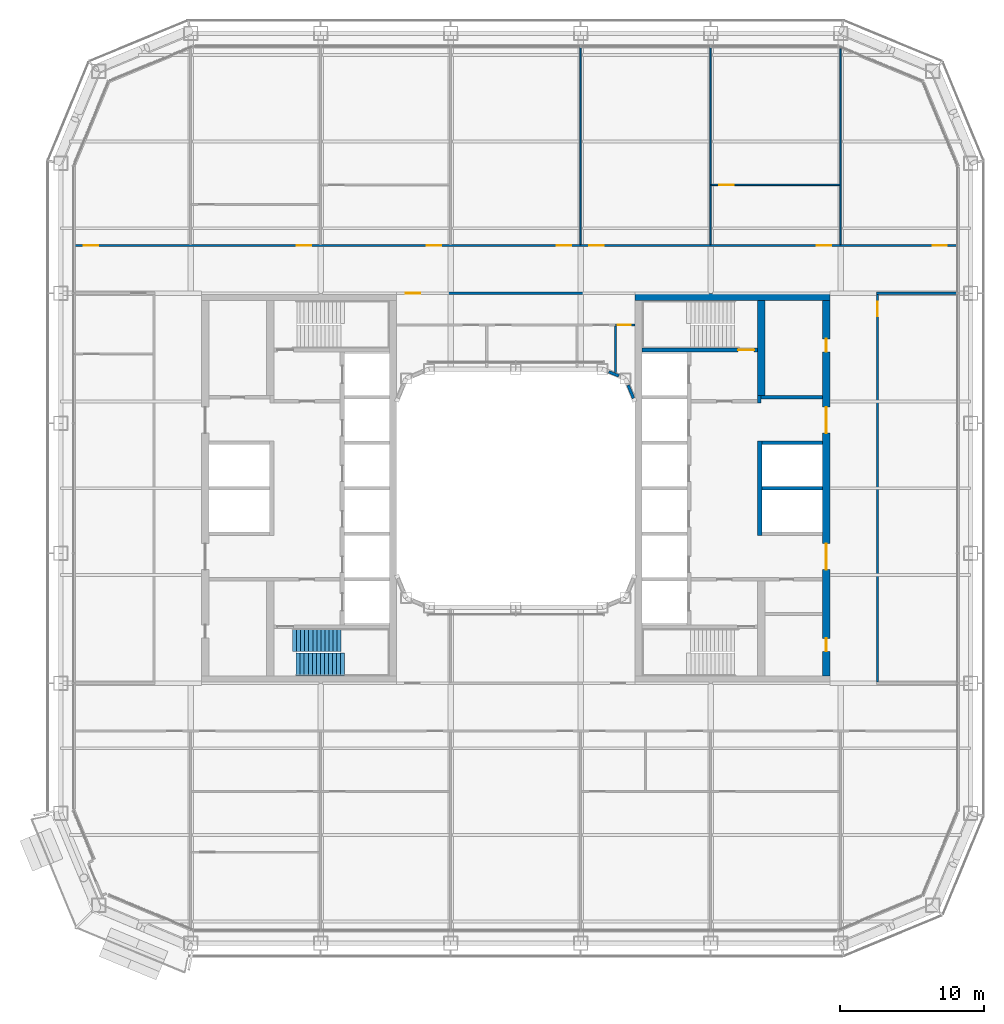
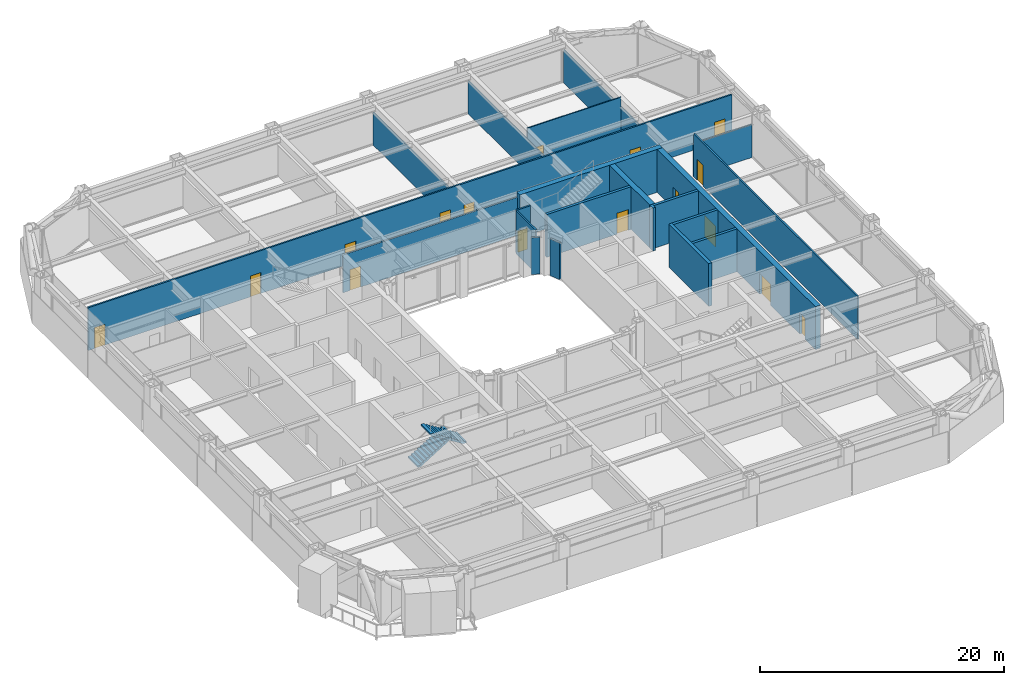
# One storey, part 16 of 27: 21 walls, 16 doors, 2 stair flights, 16 openings, 1 element without a shape of its own.
"""IFC4 building model written with IfcOpenShell, lengths in metres."""

from ifc_helpers import new_model, si_unit, direction, frame, frame_2d, origin, place, context, subcontext, project, spatial, polyline, rectangle, outline, extrude, material, layer, layer_set, type_object, element, fill, aggregate, save


model = new_model("IFC4")

# Units and contexts
model_context = context("Model", 3, precision=1e-05, world=origin(), true_north=direction((0.0, 1.0)))
body_context = subcontext(model_context, "Body", "Model", "MODEL_VIEW")
ifc_project = project(units=[si_unit("LENGTHUNIT", "METRE"), si_unit("AREAUNIT", "SQUARE_METRE"), si_unit("VOLUMEUNIT", "CUBIC_METRE"), si_unit("PLANEANGLEUNIT", "RADIAN"), si_unit("MASSUNIT", "GRAM", prefix="KILO")], contexts=[model_context])

# Site, building, storey
site_placement = place(None, origin())
site = spatial("IfcSite", under=ifc_project, at=site_placement, CompositionType="ELEMENT")
building_placement = place(site_placement, origin())
building = spatial("IfcBuilding", under=site, at=building_placement, Name="Siwar Civic Tower", CompositionType="ELEMENT")
storey_placement = place(building_placement, frame((0.0, 0.0, 89.699951171875)))
storey = spatial("IfcBuildingStorey", under=building, at=storey_placement, Name="L19", CompositionType="ELEMENT", Elevation=89.699951171875)

# Wall, opening, door
ifc_material_1 = material(Name="Gypsum board on steel studs", Category="steel")
ifc_layer_1 = layer(ifc_material_1, 0.14990234375)
ifc_layer_set_1 = layer_set([ifc_layer_1], Name="Gypsum board on steel studs")
wall_type_1 = type_object("IfcWallType", Name="COMPARTMENT PARTITION 150 EI 60", PredefinedType="PARTITIONING", material=ifc_layer_set_1)
wall_1_placement = place(storey_placement, frame((6.919921875, 11.300048828125, 0.0), z_axis=(0.0, 0.0, 1.0), x_axis=(1.0, 0.0, 0.0)))
wall_1 = element("IfcWall", 1, at=wall_1_placement, inside=storey, type_object=wall_type_1, Name="L19/wall/P10", PredefinedType="PARTITIONING", context=body_context, shape_type="SweptSolid", body=[
    extrude(rectangle(XDim=1.330078125, YDim=0.14990234375, at=frame_2d((0.6650390625, 0.0))), origin(), (0.0, 0.0, 1.0), 4.300048828125),
])
opening_1_placement = place(wall_1_placement, frame((0.14990234375, 0.0, 0.0)))
opening_1 = element("IfcOpeningElement", 2, at=opening_1_placement, cuts=wall_1, Name="Opening D4", PredefinedType="OPENING", context=body_context, shape_type="SweptSolid", body=[
    extrude(rectangle(XDim=0.89990234375, YDim=2.10009765625, at=frame_2d((0.449951171875, 1.050048828125))), frame((0.0, 0.0849609375, 0.0), z_axis=(0.0, -1.0, 0.0), x_axis=(1.0, 0.0, 0.0)), (0.0, 0.0, 1.0), 0.169921875),
])
ifc_material_2 = material(Name="Timber, painted", Category="wood")
door_type_1 = type_object("IfcDoorType", Name="DOOR 900 X 2100 FD60", OperationType="SINGLE_SWING_LEFT", PredefinedType="DOOR", material=ifc_material_2)
door_1_placement = place(opening_1_placement, origin())
door_1 = element("IfcDoor", 3, at=door_1_placement, inside=storey, type_object=door_type_1, Name="L19-D31", OperationType="SINGLE_SWING_LEFT", OverallHeight=2.10009765625, OverallWidth=0.89990234375, PredefinedType="DOOR", context=body_context, shape_type="SweptSolid", body=[
    extrude(rectangle(XDim=0.89990234375, YDim=2.10009765625, at=frame_2d((0.449951171875, 1.050048828125))), frame((0.0, 0.02490234375, 0.0), z_axis=(0.0, -1.0, 0.0), x_axis=(1.0, 0.0, 0.0)), (0.0, 0.0, 1.0), 0.050048828125),
])
fill(opening_1, door_1)

# Walls
wall_2_placement = place(storey_placement, frame((6.919921875, 8.028076171875, 0.0), z_axis=(0.0, 0.0, 1.0), x_axis=(0.0, 1.0, 0.0)))
element("IfcWall", 4, at=wall_2_placement, inside=storey, type_object=wall_type_1, Name="L19/wall/P31", PredefinedType="PARTITIONING", context=body_context, shape_type="SweptSolid", body=[
    extrude(rectangle(XDim=3.197021484375, YDim=0.14990234375, at=frame_2d((1.5986328125, 0.0))), origin(), (0.0, 0.0, 1.0), 4.300048828125),
])
ifc_material_3 = material(Name="Concrete C60/75", Category="concrete")
ifc_layer_2 = layer(ifc_material_3, 0.25)
ifc_layer_set_2 = layer_set([ifc_layer_2], Name="Concrete C60/75")
wall_type_2 = type_object("IfcWallType", Name="CORE-WALL-RC250", PredefinedType="SHEAR", material=ifc_layer_set_2)
wall_3_placement = place(storey_placement, frame((16.875, 5.89990234375, 0.0), z_axis=(0.0, 0.0, 1.0), x_axis=(0.0, 1.0, 0.0)))
element("IfcWall", 5, at=wall_3_placement, inside=storey, type_object=wall_type_2, Name="Core wall E", PredefinedType="SHEAR", context=body_context, shape_type="SweptSolid", body=[
    extrude(rectangle(XDim=0.525146484375, YDim=0.25, at=frame_2d((0.2626953125, 0.0))), origin(), (0.0, 0.0, 1.0), 4.300048828125),
])
wall_4_placement = place(storey_placement, frame((17.0, 6.300048828125, 0.0), z_axis=(0.0, 0.0, 1.0), x_axis=(1.0, 0.0, 0.0)))
element("IfcWall", 6, at=wall_4_placement, inside=storey, type_object=wall_type_2, Name="Core wall E", PredefinedType="SHEAR", context=body_context, shape_type="SweptSolid", body=[
    extrude(rectangle(XDim=4.25, YDim=0.25, at=frame_2d((2.125, 0.0))), origin(), (0.0, 0.0, 1.0), 4.300048828125),
])
for number, where, z_axis, x_axis, name in (
    (7, (17.050048828125, 0.0, 0.0), (0.0, 0.0, 1.0), (1.0, 0.0, 0.0), "Core wall E"),
    (8, (17.050048828125, 3.14990234375, 0.0), (0.0, 0.0, 1.0), (1.0, 0.0, 0.0), "Core wall E"),
):
    element("IfcWall", number, at=place(storey_placement, frame(where, z_axis=z_axis, x_axis=x_axis)), inside=storey, type_object=wall_type_2, Name=name, PredefinedType="SHEAR", context=body_context, shape_type="SweptSolid", body=[
        extrude(rectangle(XDim=4.199951171875, YDim=0.25, at=frame_2d((2.10009765625, 0.0))), origin(), (0.0, 0.0, 1.0), 4.300048828125),
    ])

# Wall, opening, door
wall_5_placement = place(storey_placement, frame((8.75, 9.574951171875, 0.0), z_axis=(0.0, 0.0, 1.0), x_axis=(1.0, 0.0, 0.0)))
wall_5 = element("IfcWall", 9, at=wall_5_placement, inside=storey, type_object=wall_type_2, Name="Core wall E", PredefinedType="SHEAR", context=body_context, shape_type="SweptSolid", body=[
    extrude(rectangle(XDim=8.0, YDim=0.25, at=frame_2d((4.0, 0.0))), origin(), (0.0, 0.0, 1.0), 4.300048828125),
])
opening_2_placement = place(wall_5_placement, frame((6.64990234375, 0.0, 0.0)))
opening_2 = element("IfcOpeningElement", 10, at=opening_2_placement, cuts=wall_5, Name="Opening L19-CE03", PredefinedType="OPENING", context=body_context, shape_type="SweptSolid", body=[
    extrude(rectangle(XDim=1.10009765625, YDim=2.10009765625, at=frame_2d((0.550048828125, 1.050048828125))), frame((0.0, 0.135009765625, 0.0), z_axis=(0.0, -1.0, 0.0), x_axis=(1.0, 0.0, 0.0)), (0.0, 0.0, 1.0), 0.27001953125),
])
ifc_material_4 = material(Name="Steel door leaf", Category="steel")
door_type_2 = type_object("IfcDoorType", Name="CORE-DOOR-FD60S", OperationType="SINGLE_SWING_LEFT", PredefinedType="DOOR", material=ifc_material_4)
door_2_placement = place(opening_2_placement, origin())
door_2 = element("IfcDoor", 11, at=door_2_placement, inside=storey, type_object=door_type_2, Name="Stair door L19-CE03", OperationType="SINGLE_SWING_LEFT", OverallHeight=2.10009765625, OverallWidth=1.10009765625, PredefinedType="DOOR", context=body_context, shape_type="SweptSolid", body=[
    extrude(rectangle(XDim=1.10009765625, YDim=2.10009765625, at=frame_2d((0.550048828125, 1.050048828125))), frame((0.0, 0.02490234375, 0.0), z_axis=(0.0, -1.0, 0.0), x_axis=(1.0, 0.0, 0.0)), (0.0, 0.0, 1.0), 0.050048828125),
])
fill(opening_2, door_2)

# Wall
ifc_material_5 = material(Name="Concrete C60/75", Category="concrete")
ifc_layer_3 = layer(ifc_material_5, 0.300048828125)
ifc_layer_set_3 = layer_set([ifc_layer_3], Name="Concrete C60/75")
wall_type_3 = type_object("IfcWallType", Name="CORE-WALL-RC300", PredefinedType="SHEAR", material=ifc_layer_set_3)
wall_6_placement = place(storey_placement, frame((16.89990234375, -3.27490234375, 0.0), z_axis=(0.0, 0.0, 1.0), x_axis=(0.0, 1.0, 0.0)))
element("IfcWall", 12, at=wall_6_placement, inside=storey, type_object=wall_type_3, Name="Core wall E", PredefinedType="SHEAR", context=body_context, shape_type="SweptSolid", body=[
    extrude(rectangle(XDim=6.5498046875, YDim=0.300048828125, at=frame_2d((3.27490234375, 0.0))), origin(), (0.0, 0.0, 1.0), 4.300048828125),
])

# Wall, openings, doors
ifc_material_6 = material(Name="Concrete C60/75", Category="concrete")
ifc_layer_4 = layer(ifc_material_6, 0.5)
ifc_layer_set_4 = layer_set([ifc_layer_4], Name="Concrete C60/75")
wall_type_4 = type_object("IfcWallType", Name="CORE-WALL-RC500", PredefinedType="SHEAR", material=ifc_layer_set_4)
wall_7_placement = place(storey_placement, frame((21.5, -13.0, 0.0), z_axis=(0.0, 0.0, 1.0), x_axis=(0.0, 1.0, 0.0)))
wall_7 = element("IfcWall", 13, at=wall_7_placement, inside=storey, type_object=wall_type_4, Name="Core wall E", PredefinedType="SHEAR", context=body_context, shape_type="SweptSolid", body=[
    extrude(rectangle(XDim=26.0, YDim=0.5, at=frame_2d((13.0, 0.0))), origin(), (0.0, 0.0, 1.0), 4.300048828125),
])
opening_3_placement = place(wall_7_placement, frame((16.824951171875, 0.0, 0.0)))
opening_3 = element("IfcOpeningElement", 14, at=opening_3_placement, cuts=wall_7, Name="Opening L19-CE05", PredefinedType="OPENING", context=body_context, shape_type="SweptSolid", body=[
    extrude(rectangle(XDim=1.800048828125, YDim=2.10009765625, at=frame_2d((0.89990234375, 1.050048828125))), frame((0.0, 0.260009765625, 0.0), z_axis=(0.0, -1.0, 0.0), x_axis=(1.0, 0.0, 0.0)), (0.0, 0.0, 1.0), 0.52001953125),
])
opening_4_placement = place(wall_7_placement, frame((7.375, 0.0, 0.0)))
opening_4 = element("IfcOpeningElement", 15, at=opening_4_placement, cuts=wall_7, Name="Opening L19-CE06", PredefinedType="OPENING", context=body_context, shape_type="SweptSolid", body=[
    extrude(rectangle(XDim=1.800048828125, YDim=2.10009765625, at=frame_2d((0.89990234375, 1.050048828125))), frame((0.0, 0.260009765625, 0.0), z_axis=(0.0, -1.0, 0.0), x_axis=(1.0, 0.0, 0.0)), (0.0, 0.0, 1.0), 0.52001953125),
])
opening_5_placement = place(wall_7_placement, frame((22.449951171875, 0.0, 0.0)))
opening_5 = element("IfcOpeningElement", 16, at=opening_5_placement, cuts=wall_7, Name="Opening L19-CE13", PredefinedType="OPENING", context=body_context, shape_type="SweptSolid", body=[
    extrude(rectangle(XDim=0.89990234375, YDim=2.10009765625, at=frame_2d((0.449951171875, 1.050048828125))), frame((0.0, 0.260009765625, 0.0), z_axis=(0.0, -1.0, 0.0), x_axis=(1.0, 0.0, 0.0)), (0.0, 0.0, 1.0), 0.52001953125),
])
opening_6_placement = place(wall_7_placement, frame((1.699951171875, 0.0, 0.0)))
opening_6 = element("IfcOpeningElement", 17, at=opening_6_placement, cuts=wall_7, Name="Opening L19-CE15", PredefinedType="OPENING", context=body_context, shape_type="SweptSolid", body=[
    extrude(rectangle(XDim=0.89990234375, YDim=2.10009765625, at=frame_2d((0.449951171875, 1.050048828125))), frame((0.0, 0.260009765625, 0.0), z_axis=(0.0, -1.0, 0.0), x_axis=(1.0, 0.0, 0.0)), (0.0, 0.0, 1.0), 0.52001953125),
])
ifc_material_7 = material(Name="Steel door leaf", Category="steel")
door_type_3 = type_object("IfcDoorType", Name="CORE-DOOR-PORT", OperationType="DOUBLE_DOOR_DOUBLE_SWING", PredefinedType="DOOR", material=ifc_material_7)
door_3_placement = place(opening_3_placement, origin())
door_3 = element("IfcDoor", 18, at=door_3_placement, inside=storey, type_object=door_type_3, Name="Core entrance door L19-CE05", OperationType="DOUBLE_DOOR_DOUBLE_SWING", OverallHeight=2.10009765625, OverallWidth=1.800048828125, PredefinedType="DOOR", context=body_context, shape_type="SweptSolid", body=[
    extrude(rectangle(XDim=1.800048828125, YDim=2.10009765625, at=frame_2d((0.89990234375, 1.050048828125))), frame((0.0, 0.02490234375, 0.0), z_axis=(0.0, -1.0, 0.0), x_axis=(1.0, 0.0, 0.0)), (0.0, 0.0, 1.0), 0.050048828125),
])
fill(opening_3, door_3)
door_4_placement = place(opening_4_placement, origin())
door_4 = element("IfcDoor", 19, at=door_4_placement, inside=storey, type_object=door_type_3, Name="Core entrance door L19-CE06", OperationType="DOUBLE_DOOR_DOUBLE_SWING", OverallHeight=2.10009765625, OverallWidth=1.800048828125, PredefinedType="DOOR", context=body_context, shape_type="SweptSolid", body=[
    extrude(rectangle(XDim=1.800048828125, YDim=2.10009765625, at=frame_2d((0.89990234375, 1.050048828125))), frame((0.0, 0.02490234375, 0.0), z_axis=(0.0, -1.0, 0.0), x_axis=(1.0, 0.0, 0.0)), (0.0, 0.0, 1.0), 0.050048828125),
])
fill(opening_4, door_4)
ifc_material_8 = material(Name="Steel door leaf", Category="steel")
door_type_4 = type_object("IfcDoorType", Name="CORE-DOOR-ROOM", OperationType="SINGLE_SWING_LEFT", PredefinedType="DOOR", material=ifc_material_8)
door_5_placement = place(opening_5_placement, origin())
door_5 = element("IfcDoor", 20, at=door_5_placement, inside=storey, type_object=door_type_4, Name="Core room door L19-CE13", OperationType="SINGLE_SWING_LEFT", OverallHeight=2.10009765625, OverallWidth=0.89990234375, PredefinedType="DOOR", context=body_context, shape_type="SweptSolid", body=[
    extrude(rectangle(XDim=0.89990234375, YDim=2.10009765625, at=frame_2d((0.449951171875, 1.050048828125))), frame((0.0, 0.02490234375, 0.0), z_axis=(0.0, -1.0, 0.0), x_axis=(1.0, 0.0, 0.0)), (0.0, 0.0, 1.0), 0.050048828125),
])
fill(opening_5, door_5)
door_6_placement = place(opening_6_placement, origin())
door_6 = element("IfcDoor", 21, at=door_6_placement, inside=storey, type_object=door_type_4, Name="Core room door L19-CE15", OperationType="SINGLE_SWING_LEFT", OverallHeight=2.10009765625, OverallWidth=0.89990234375, PredefinedType="DOOR", context=body_context, shape_type="SweptSolid", body=[
    extrude(rectangle(XDim=0.89990234375, YDim=2.10009765625, at=frame_2d((0.449951171875, 1.050048828125))), frame((0.0, 0.02490234375, 0.0), z_axis=(0.0, -1.0, 0.0), x_axis=(1.0, 0.0, 0.0)), (0.0, 0.0, 1.0), 0.050048828125),
])
fill(opening_6, door_6)

# Walls
wall_8_placement = place(storey_placement, frame((17.0, 6.425048828125, 0.0), z_axis=(0.0, 0.0, 1.0), x_axis=(0.0, 1.0, 0.0)))
element("IfcWall", 22, at=wall_8_placement, inside=storey, type_object=wall_type_4, Name="Core wall E", PredefinedType="SHEAR", context=body_context, shape_type="SweptSolid", body=[
    extrude(rectangle(XDim=6.574951171875, YDim=0.5, at=frame_2d((3.28759765625, 0.0))), origin(), (0.0, 0.0, 1.0), 4.300048828125),
])
wall_9_placement = place(storey_placement, frame((8.25, 13.25, 0.0), z_axis=(0.0, 0.0, 1.0), x_axis=(1.0, 0.0, 0.0)))
element("IfcWall", 23, at=wall_9_placement, inside=storey, type_object=wall_type_4, Name="Core wall E", PredefinedType="SHEAR", context=body_context, shape_type="SweptSolid", body=[
    extrude(rectangle(XDim=13.5, YDim=0.5, at=frame_2d((6.75, 0.0))), origin(), (0.0, 0.0, 1.0), 4.300048828125),
])

# Wall, opening, door
ifc_material_9 = material(Name="Gypsum board on steel studs", Category="steel")
ifc_layer_5 = layer(ifc_material_9, 0.14990234375)
ifc_layer_set_5 = layer_set([ifc_layer_5], Name="Gypsum board on steel studs")
wall_type_5 = type_object("IfcWallType", Name="CORRIDOR PARTITION 150 EI 30", PredefinedType="PARTITIONING", material=ifc_layer_set_5)
wall_10_placement = place(storey_placement, frame((-8.25, 13.5, 0.0), z_axis=(0.0, 0.0, 1.0), x_axis=(1.0, 0.0, 0.0)))
wall_10 = element("IfcWall", 24, at=wall_10_placement, inside=storey, type_object=wall_type_5, Name="L19/wall/P12", PredefinedType="PARTITIONING", context=body_context, shape_type="SweptSolid", body=[
    extrude(rectangle(XDim=16.5, YDim=0.14990234375, at=frame_2d((8.25, 0.0))), origin(), (0.0, 0.0, 1.0), 3.800048828125),
])
opening_7_placement = place(wall_10_placement, frame((0.64990234375, 0.0, 0.0)))
opening_7 = element("IfcOpeningElement", 25, at=opening_7_placement, cuts=wall_10, Name="Opening D1", PredefinedType="OPENING", context=body_context, shape_type="SweptSolid", body=[
    extrude(rectangle(XDim=1.0, YDim=2.10009765625, at=frame_2d((0.5, 1.050048828125))), frame((0.0, 0.0849609375, 0.0), z_axis=(0.0, -1.0, 0.0), x_axis=(1.0, 0.0, 0.0)), (0.0, 0.0, 1.0), 0.169921875),
])
ifc_material_10 = material(Name="Timber, painted", Category="wood")
door_type_5 = type_object("IfcDoorType", Name="DOOR 1000 X 2100 FD30", OperationType="SINGLE_SWING_LEFT", PredefinedType="DOOR", material=ifc_material_10)
door_7_placement = place(opening_7_placement, origin())
door_7 = element("IfcDoor", 26, at=door_7_placement, inside=storey, type_object=door_type_5, Name="L19-D27", OperationType="SINGLE_SWING_LEFT", OverallHeight=2.10009765625, OverallWidth=1.0, PredefinedType="DOOR", context=body_context, shape_type="SweptSolid", body=[
    extrude(rectangle(XDim=1.0, YDim=2.10009765625, at=frame_2d((0.5, 1.050048828125))), frame((0.0, 0.02490234375, 0.0), z_axis=(0.0, -1.0, 0.0), x_axis=(1.0, 0.0, 0.0)), (0.0, 0.0, 1.0), 0.050048828125),
])
fill(opening_7, door_7)

# Wall
wall_11_placement = place(storey_placement, frame((24.97509765625, 13.5, 0.0), z_axis=(0.0, 0.0, 1.0), x_axis=(1.0, 0.0, 0.0)))
element("IfcWall", 27, at=wall_11_placement, inside=storey, type_object=wall_type_5, Name="L19/wall/P13", PredefinedType="PARTITIONING", context=body_context, shape_type="SweptSolid", body=[
    extrude(rectangle(XDim=5.534912109375, YDim=0.14990234375, at=frame_2d((2.767578125, 0.0))), origin(), (0.0, 0.0, 1.0), 3.300048828125),
])

# Wall, openings, doors
wall_12_placement = place(storey_placement, frame((-30.510009765625, 16.800048828125, 0.0), z_axis=(0.0, 0.0, 1.0), x_axis=(1.0, 0.0, 0.0)))
wall_12 = element("IfcWall", 28, at=wall_12_placement, inside=storey, type_object=wall_type_5, Name="L19/wall/P14", PredefinedType="PARTITIONING", context=body_context, shape_type="SweptSolid", body=[
    extrude(rectangle(XDim=61.02001953125, YDim=0.14990234375, at=frame_2d((30.510009765625, 0.0))), origin(), (0.0, 0.0, 1.0), 4.300048828125),
])
opening_8_placement = place(wall_12_placement, frame((15.360107421875, 0.0, 0.0)))
opening_8 = element("IfcOpeningElement", 29, at=opening_8_placement, cuts=wall_12, Name="Opening D1", PredefinedType="OPENING", context=body_context, shape_type="SweptSolid", body=[
    extrude(rectangle(XDim=1.0, YDim=2.10009765625, at=frame_2d((0.5, 1.050048828125))), frame((0.0, 0.0849609375, 0.0), z_axis=(0.0, -1.0, 0.0), x_axis=(1.0, 0.0, 0.0)), (0.0, 0.0, 1.0), 0.169921875),
])
opening_9_placement = place(wall_12_placement, frame((24.360107421875, 0.0, 0.0)))
opening_9 = element("IfcOpeningElement", 30, at=opening_9_placement, cuts=wall_12, Name="Opening D1", PredefinedType="OPENING", context=body_context, shape_type="SweptSolid", body=[
    extrude(rectangle(XDim=1.0, YDim=2.10009765625, at=frame_2d((0.5, 1.050048828125))), frame((0.0, 0.0849609375, 0.0), z_axis=(0.0, -1.0, 0.0), x_axis=(1.0, 0.0, 0.0)), (0.0, 0.0, 1.0), 0.169921875),
])
opening_10_placement = place(wall_12_placement, frame((33.360107421875, 0.0, 0.0)))
opening_10 = element("IfcOpeningElement", 31, at=opening_10_placement, cuts=wall_12, Name="Opening D1", PredefinedType="OPENING", context=body_context, shape_type="SweptSolid", body=[
    extrude(rectangle(XDim=1.0, YDim=2.10009765625, at=frame_2d((0.5, 1.050048828125))), frame((0.0, 0.0849609375, 0.0), z_axis=(0.0, -1.0, 0.0), x_axis=(1.0, 0.0, 0.0)), (0.0, 0.0, 1.0), 0.169921875),
])
opening_11_placement = place(wall_12_placement, frame((35.610107421875, 0.0, 0.0)))
opening_11 = element("IfcOpeningElement", 32, at=opening_11_placement, cuts=wall_12, Name="Opening D1", PredefinedType="OPENING", context=body_context, shape_type="SweptSolid", body=[
    extrude(rectangle(XDim=1.0, YDim=2.10009765625, at=frame_2d((0.5, 1.050048828125))), frame((0.0, 0.0849609375, 0.0), z_axis=(0.0, -1.0, 0.0), x_axis=(1.0, 0.0, 0.0)), (0.0, 0.0, 1.0), 0.169921875),
])
opening_12_placement = place(wall_12_placement, frame((51.360107421875, 0.0, 0.0)))
opening_12 = element("IfcOpeningElement", 33, at=opening_12_placement, cuts=wall_12, Name="Opening D1", PredefinedType="OPENING", context=body_context, shape_type="SweptSolid", body=[
    extrude(rectangle(XDim=1.0, YDim=2.10009765625, at=frame_2d((0.5, 1.050048828125))), frame((0.0, 0.0849609375, 0.0), z_axis=(0.0, -1.0, 0.0), x_axis=(1.0, 0.0, 0.0)), (0.0, 0.0, 1.0), 0.169921875),
])
opening_13_placement = place(wall_12_placement, frame((0.610107421875, 0.0, 0.0)))
opening_13 = element("IfcOpeningElement", 34, at=opening_13_placement, cuts=wall_12, Name="Opening D1", PredefinedType="OPENING", context=body_context, shape_type="SweptSolid", body=[
    extrude(rectangle(XDim=1.0, YDim=2.10009765625, at=frame_2d((0.5, 1.050048828125))), frame((0.0, 0.0849609375, 0.0), z_axis=(0.0, -1.0, 0.0), x_axis=(1.0, 0.0, 0.0)), (0.0, 0.0, 1.0), 0.169921875),
])
opening_14_placement = place(wall_12_placement, frame((59.3701171875, 0.0, 0.0)))
opening_14 = element("IfcOpeningElement", 35, at=opening_14_placement, cuts=wall_12, Name="Opening D1", PredefinedType="OPENING", context=body_context, shape_type="SweptSolid", body=[
    extrude(rectangle(XDim=1.0, YDim=2.10009765625, at=frame_2d((0.5, 1.050048828125))), frame((0.0, 0.0849609375, 0.0), z_axis=(0.0, -1.0, 0.0), x_axis=(1.0, 0.0, 0.0)), (0.0, 0.0, 1.0), 0.169921875),
])
door_8_placement = place(opening_8_placement, origin())
door_8 = element("IfcDoor", 36, at=door_8_placement, inside=storey, type_object=door_type_5, Name="L19-D01", OperationType="SINGLE_SWING_LEFT", OverallHeight=2.10009765625, OverallWidth=1.0, PredefinedType="DOOR", context=body_context, shape_type="SweptSolid", body=[
    extrude(rectangle(XDim=1.0, YDim=2.10009765625, at=frame_2d((0.5, 1.050048828125))), frame((0.0, 0.02490234375, 0.0), z_axis=(0.0, -1.0, 0.0), x_axis=(1.0, 0.0, 0.0)), (0.0, 0.0, 1.0), 0.050048828125),
])
fill(opening_8, door_8)
door_9_placement = place(opening_9_placement, origin())
door_9 = element("IfcDoor", 37, at=door_9_placement, inside=storey, type_object=door_type_5, Name="L19-D03", OperationType="SINGLE_SWING_LEFT", OverallHeight=2.10009765625, OverallWidth=1.0, PredefinedType="DOOR", context=body_context, shape_type="SweptSolid", body=[
    extrude(rectangle(XDim=1.0, YDim=2.10009765625, at=frame_2d((0.5, 1.050048828125))), frame((0.0, 0.02490234375, 0.0), z_axis=(0.0, -1.0, 0.0), x_axis=(1.0, 0.0, 0.0)), (0.0, 0.0, 1.0), 0.050048828125),
])
fill(opening_9, door_9)
door_10_placement = place(opening_10_placement, origin())
door_10 = element("IfcDoor", 38, at=door_10_placement, inside=storey, type_object=door_type_5, Name="L19-D05", OperationType="SINGLE_SWING_LEFT", OverallHeight=2.10009765625, OverallWidth=1.0, PredefinedType="DOOR", context=body_context, shape_type="SweptSolid", body=[
    extrude(rectangle(XDim=1.0, YDim=2.10009765625, at=frame_2d((0.5, 1.050048828125))), frame((0.0, 0.02490234375, 0.0), z_axis=(0.0, -1.0, 0.0), x_axis=(1.0, 0.0, 0.0)), (0.0, 0.0, 1.0), 0.050048828125),
])
fill(opening_10, door_10)
door_11_placement = place(opening_11_placement, origin())
door_11 = element("IfcDoor", 39, at=door_11_placement, inside=storey, type_object=door_type_5, Name="L19-D06", OperationType="SINGLE_SWING_RIGHT", OverallHeight=2.10009765625, OverallWidth=1.0, PredefinedType="DOOR", context=body_context, shape_type="SweptSolid", body=[
    extrude(rectangle(XDim=1.0, YDim=2.10009765625, at=frame_2d((0.5, 1.050048828125))), frame((0.0, 0.02490234375, 0.0), z_axis=(0.0, -1.0, 0.0), x_axis=(1.0, 0.0, 0.0)), (0.0, 0.0, 1.0), 0.050048828125),
])
fill(opening_11, door_11)
door_12_placement = place(opening_12_placement, origin())
door_12 = element("IfcDoor", 40, at=door_12_placement, inside=storey, type_object=door_type_5, Name="L19-D07", OperationType="SINGLE_SWING_LEFT", OverallHeight=2.10009765625, OverallWidth=1.0, PredefinedType="DOOR", context=body_context, shape_type="SweptSolid", body=[
    extrude(rectangle(XDim=1.0, YDim=2.10009765625, at=frame_2d((0.5, 1.050048828125))), frame((0.0, 0.02490234375, 0.0), z_axis=(0.0, -1.0, 0.0), x_axis=(1.0, 0.0, 0.0)), (0.0, 0.0, 1.0), 0.050048828125),
])
fill(opening_12, door_12)
door_13_placement = place(opening_13_placement, origin())
door_13 = element("IfcDoor", 41, at=door_13_placement, inside=storey, type_object=door_type_5, Name="L19-D20", OperationType="SINGLE_SWING_RIGHT", OverallHeight=2.10009765625, OverallWidth=1.0, PredefinedType="DOOR", context=body_context, shape_type="SweptSolid", body=[
    extrude(rectangle(XDim=1.0, YDim=2.10009765625, at=frame_2d((0.5, 1.050048828125))), frame((0.0, 0.02490234375, 0.0), z_axis=(0.0, -1.0, 0.0), x_axis=(1.0, 0.0, 0.0)), (0.0, 0.0, 1.0), 0.050048828125),
])
fill(opening_13, door_13)
door_14_placement = place(opening_14_placement, origin())
door_14 = element("IfcDoor", 42, at=door_14_placement, inside=storey, type_object=door_type_5, Name="L19-D21", OperationType="SINGLE_SWING_LEFT", OverallHeight=2.10009765625, OverallWidth=1.0, PredefinedType="DOOR", context=body_context, shape_type="SweptSolid", body=[
    extrude(rectangle(XDim=1.0, YDim=2.10009765625, at=frame_2d((0.5, 1.050048828125))), frame((0.0, 0.02490234375, 0.0), z_axis=(0.0, -1.0, 0.0), x_axis=(1.0, 0.0, 0.0)), (0.0, 0.0, 1.0), 0.050048828125),
])
fill(opening_14, door_14)

# Wall, opening, door
wall_13_placement = place(storey_placement, frame((25.050048828125, -13.425048828125, 0.0), z_axis=(0.0, 0.0, 1.0), x_axis=(0.0, 1.0, 0.0)))
wall_13 = element("IfcWall", 43, at=wall_13_placement, inside=storey, type_object=wall_type_5, Name="L19/wall/P38", PredefinedType="PARTITIONING", context=body_context, shape_type="SweptSolid", body=[
    extrude(rectangle(XDim=26.85009765625, YDim=0.14990234375, at=frame_2d((13.425048828125, 0.0))), origin(), (0.0, 0.0, 1.0), 4.300048828125),
])
opening_15_placement = place(wall_13_placement, frame((25.324951171875, 0.0, 0.0)))
opening_15 = element("IfcOpeningElement", 44, at=opening_15_placement, cuts=wall_13, Name="Opening D1", PredefinedType="OPENING", context=body_context, shape_type="SweptSolid", body=[
    extrude(rectangle(XDim=1.0, YDim=2.10009765625, at=frame_2d((0.5, 1.050048828125))), frame((0.0, 0.0849609375, 0.0), z_axis=(0.0, -1.0, 0.0), x_axis=(1.0, 0.0, 0.0)), (0.0, 0.0, 1.0), 0.169921875),
])
door_15_placement = place(opening_15_placement, origin())
door_15 = element("IfcDoor", 45, at=door_15_placement, inside=storey, type_object=door_type_5, Name="L19-D26", OperationType="SINGLE_SWING_RIGHT", OverallHeight=2.10009765625, OverallWidth=1.0, PredefinedType="DOOR", context=body_context, shape_type="SweptSolid", body=[
    extrude(rectangle(XDim=1.0, YDim=2.10009765625, at=frame_2d((0.5, 1.050048828125))), frame((0.0, 0.02490234375, 0.0), z_axis=(0.0, -1.0, 0.0), x_axis=(1.0, 0.0, 0.0)), (0.0, 0.0, 1.0), 0.050048828125),
])
fill(opening_15, door_15)

# Walls
ifc_material_11 = material(Name="Aluminium clad insulated panel", Category="aluminium")
ifc_layer_6 = layer(ifc_material_11, 0.199951171875)
ifc_layer_set_6 = layer_set([ifc_layer_6], Name="Aluminium clad insulated panel")
wall_type_6 = type_object("IfcWallType", Name="ENV-WALL-WELL", PredefinedType="STANDARD", material=ifc_layer_set_6)
wall_14_placement = place(storey_placement, frame((8.154296875, 6.23095703125, 0.0), z_axis=(0.0, 0.0, 1.0), x_axis=(-0.382549378284, 0.923935048136, 0.0)))
element("IfcWall", 46, at=wall_14_placement, inside=storey, type_object=wall_type_6, Name="Light well corner wall NE1", PredefinedType="STANDARD", context=body_context, shape_type="SweptSolid", body=[
    extrude(rectangle(XDim=0.982177734375, YDim=0.199951171875, at=frame_2d((0.4912109375, 0.0))), origin(), (0.0, 0.0, 1.0), 3.679931640625),
])
wall_15_placement = place(storey_placement, frame((7.138427734375, 7.778564453125, 0.0), z_axis=(0.0, 0.0, 1.0), x_axis=(-0.923940677943, 0.382535780864, 0.0)))
element("IfcWall", 47, at=wall_15_placement, inside=storey, type_object=wall_type_6, Name="Light well corner wall NE2", PredefinedType="STANDARD", context=body_context, shape_type="SweptSolid", body=[
    extrude(rectangle(XDim=0.7421875, YDim=0.199951171875, at=frame_2d((0.37109375, 0.0))), origin(), (0.0, 0.0, 1.0), 3.679931640625),
])

# Wall, opening, door
ifc_material_12 = material(Name="Gypsum board on steel studs", Category="steel")
ifc_layer_7 = layer(ifc_material_12, 0.10009765625)
ifc_layer_set_7 = layer_set([ifc_layer_7], Name="Gypsum board on steel studs")
wall_type_7 = type_object("IfcWallType", Name="PARTITION 100 GYPSUM", PredefinedType="PARTITIONING", material=ifc_layer_set_7)
wall_16_placement = place(storey_placement, frame((13.550048828125, 21.0, 0.0), z_axis=(0.0, 0.0, 1.0), x_axis=(1.0, 0.0, 0.0)))
wall_16 = element("IfcWall", 48, at=wall_16_placement, inside=storey, type_object=wall_type_7, Name="L19/wall/P17", PredefinedType="PARTITIONING", context=body_context, shape_type="SweptSolid", body=[
    extrude(rectangle(XDim=8.89990234375, YDim=0.10009765625, at=frame_2d((4.449951171875, 0.0))), origin(), (0.0, 0.0, 1.0), 4.300048828125),
])
opening_16_placement = place(wall_16_placement, frame((0.550048828125, 0.0, 0.0)))
opening_16 = element("IfcOpeningElement", 49, at=opening_16_placement, cuts=wall_16, Name="Opening D2", PredefinedType="OPENING", context=body_context, shape_type="SweptSolid", body=[
    extrude(rectangle(XDim=1.0, YDim=2.10009765625, at=frame_2d((0.5, 1.050048828125))), frame((0.0, 0.06005859375, 0.0), z_axis=(0.0, -1.0, 0.0), x_axis=(1.0, 0.0, 0.0)), (0.0, 0.0, 1.0), 0.1201171875),
])
ifc_material_13 = material(Name="Timber, painted", Category="wood")
door_type_6 = type_object("IfcDoorType", Name="DOOR 1000 X 2100", OperationType="SINGLE_SWING_LEFT", PredefinedType="DOOR", material=ifc_material_13)
door_16_placement = place(opening_16_placement, origin())
door_16 = element("IfcDoor", 50, at=door_16_placement, inside=storey, type_object=door_type_6, Name="L19-D08", OperationType="SINGLE_SWING_RIGHT", OverallHeight=2.10009765625, OverallWidth=1.0, PredefinedType="DOOR", context=body_context, shape_type="SweptSolid", body=[
    extrude(rectangle(XDim=1.0, YDim=2.10009765625, at=frame_2d((0.5, 1.050048828125))), frame((0.0, 0.02490234375, 0.0), z_axis=(0.0, -1.0, 0.0), x_axis=(1.0, 0.0, 0.0)), (0.0, 0.0, 1.0), 0.050048828125),
])
fill(opening_16, door_16)

# Walls
for number, where, z_axis, x_axis, name in (
    (51, (4.5, 16.875, 0.0), (0.0, 0.0, 1.0), (0.0, 1.0, 0.0), "L19/wall/P30"),
    (52, (13.5, 16.875, 0.0), (0.0, 0.0, 1.0), (0.0, 1.0, 0.0), "L19/wall/P35"),
):
    element("IfcWall", number, at=place(storey_placement, frame(where, z_axis=z_axis, x_axis=x_axis)), inside=storey, type_object=wall_type_7, Name=name, PredefinedType="PARTITIONING", context=body_context, shape_type="SweptSolid", body=[
        extrude(rectangle(XDim=13.635009765625, YDim=0.10009765625, at=frame_2d((6.8173828125, 0.0))), origin(), (0.0, 0.0, 1.0), 3.300048828125),
    ])
wall_17_placement = place(storey_placement, frame((22.5, 16.875, 0.0), z_axis=(0.0, 0.0, 1.0), x_axis=(0.0, 1.0, 0.0)))
element("IfcWall", 53, at=wall_17_placement, inside=storey, type_object=wall_type_7, Name="L19/wall/P37", PredefinedType="PARTITIONING", context=body_context, shape_type="SweptSolid", body=[
    extrude(rectangle(XDim=13.552978515625, YDim=0.10009765625, at=frame_2d((6.7763671875, 0.0))), origin(), (0.0, 0.0, 1.0), 3.300048828125),
])

# Stair, stair flights
ifc_material_14 = material(Name="Concrete C40/50", Category="concrete")
stair_type = type_object("IfcStairType", Name="CORE-STAIR", PredefinedType="TWO_STRAIGHT_RUN_STAIR", material=ifc_material_14)
stair_placement = place(storey_placement, origin())
stair = element("IfcStair", 54, at=stair_placement, inside=storey, type_object=stair_type, Name="Exit stair ST2", PredefinedType="TWO_STRAIGHT_RUN_STAIR")
ifc_material_15 = material(Name="Concrete C40/50", Category="concrete")
stair_flight_type = type_object("IfcStairFlightType", Name="CORE-STAIR-FLIGHT", PredefinedType="STRAIGHT", material=ifc_material_15)
stair_flight_1_placement = place(storey_placement, frame((-15.449951171875, -10.5, 0.0), z_axis=(0.0, 0.0, 1.0), x_axis=(1.0, 0.0, 0.0)))
stair_flight_1 = element("IfcStairFlight", 55, at=stair_flight_1_placement, type_object=stair_flight_type, Name="ST2 flight 1", NumberOfRisers=13, NumberOfTreads=12, PredefinedType="STRAIGHT", RiserHeight=0.173076923, TreadLength=0.28, context=body_context, shape_type="SweptSolid", body=[
    extrude(outline(polyline([(0.0, 0.0), (0.0, 0.173095703125), (0.280029296875, 0.173095703125), (0.280029296875, 0.34619140625), (0.56005859375, 0.34619140625), (0.56005859375, 0.519287109375), (0.840087890625, 0.519287109375), (0.840087890625, 0.6923828125), (1.1201171875, 0.6923828125), (1.1201171875, 0.865478515625), (1.39990234375, 0.865478515625), (1.39990234375, 1.03857421875), (1.679931640625, 1.03857421875), (1.679931640625, 1.21142578125), (1.9599609375, 1.21142578125), (1.9599609375, 1.384521484375), (2.239990234375, 1.384521484375), (2.239990234375, 1.5576171875), (2.52001953125, 1.5576171875), (2.52001953125, 1.730712890625), (2.800048828125, 1.730712890625), (2.800048828125, 1.90380859375), (3.080078125, 1.90380859375), (3.080078125, 2.076904296875), (3.360107421875, 2.076904296875), (3.360107421875, 2.25), (3.360107421875, 1.900634765625), (0.28515625, 0.0), (0.0, 0.0)])), frame((0.0, 0.800048828125, 0.0), z_axis=(0.0, -1.0, 0.0), x_axis=(1.0, 0.0, 0.0)), (0.0, 0.0, 1.0), 1.60009765625),
])
stair_flight_2_placement = place(storey_placement, frame((-11.840087890625, -12.199951171875, 2.25), z_axis=(0.0, 0.0, 1.0), x_axis=(-1.0, 0.0, 0.0)))
stair_flight_2 = element("IfcStairFlight", 56, at=stair_flight_2_placement, type_object=stair_flight_type, Name="ST2 flight 2", NumberOfRisers=13, NumberOfTreads=12, PredefinedType="STRAIGHT", RiserHeight=0.173076923, TreadLength=0.28, context=body_context, shape_type="SweptSolid", body=[
    extrude(outline(polyline([(0.0, 0.0), (0.0, 0.173095703125), (0.280029296875, 0.173095703125), (0.280029296875, 0.34619140625), (0.56005859375, 0.34619140625), (0.56005859375, 0.519287109375), (0.840087890625, 0.519287109375), (0.840087890625, 0.6923828125), (1.1201171875, 0.6923828125), (1.1201171875, 0.865478515625), (1.39990234375, 0.865478515625), (1.39990234375, 1.03857421875), (1.679931640625, 1.03857421875), (1.679931640625, 1.21142578125), (1.9599609375, 1.21142578125), (1.9599609375, 1.384521484375), (2.239990234375, 1.384521484375), (2.239990234375, 1.5576171875), (2.52001953125, 1.5576171875), (2.52001953125, 1.730712890625), (2.800048828125, 1.730712890625), (2.800048828125, 1.90380859375), (3.080078125, 1.90380859375), (3.080078125, 2.076904296875), (3.360107421875, 2.076904296875), (3.360107421875, 2.25), (3.360107421875, 1.900634765625), (0.28515625, 0.0), (0.0, 0.0)])), frame((0.0, 0.800048828125, 0.0), z_axis=(0.0, -1.0, 0.0), x_axis=(1.0, 0.0, 0.0)), (0.0, 0.0, 1.0), 1.60009765625),
])
aggregate(stair, [stair_flight_1, stair_flight_2])

save(model, "model.ifc")
